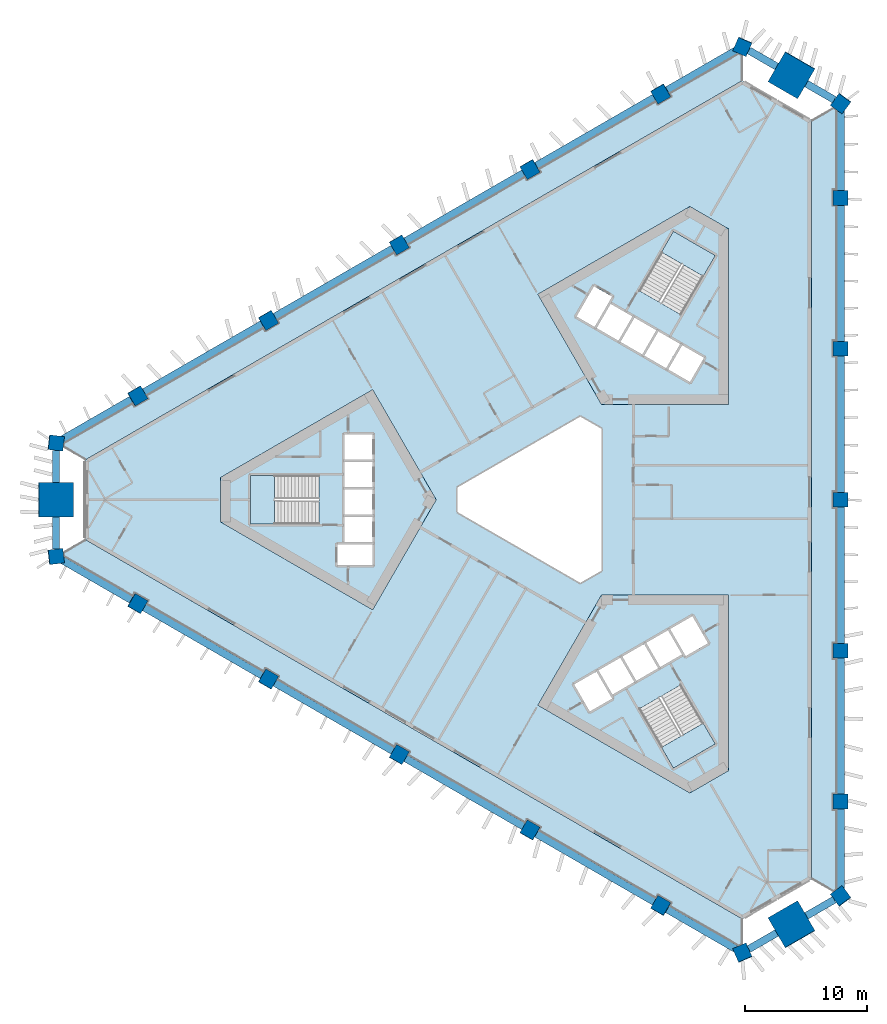
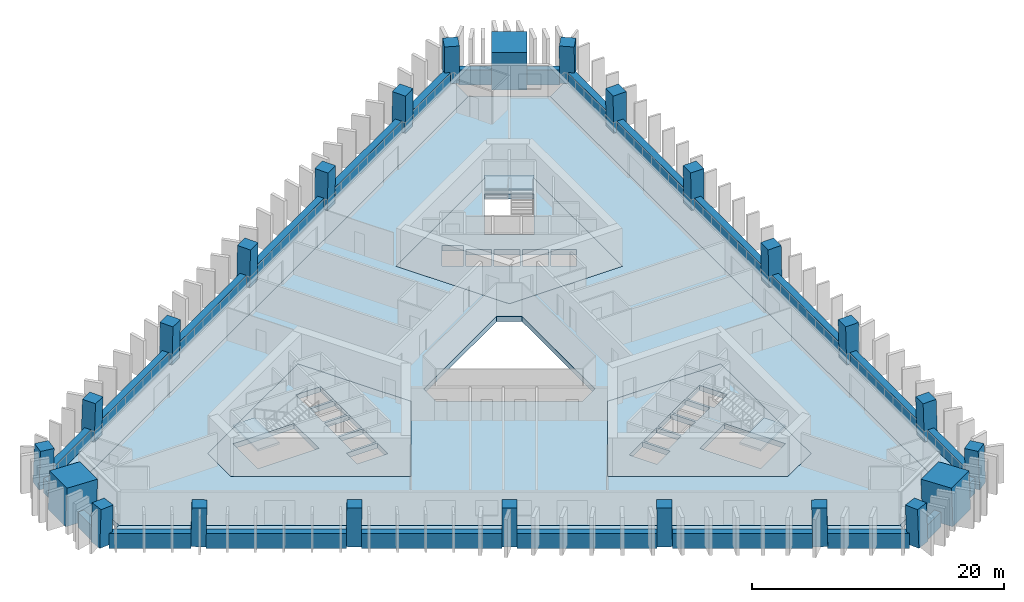
# One storey, part 1 of 10: 24 beams, 24 columns, 10 slabs, 3 elements without a shape of their own.
"""IFC4 building model written with IfcOpenShell, lengths in metres."""

from ifc_helpers import new_model, si_unit, direction, frame, origin, origin_2d, place, context, subcontext, project, spatial, polyline, rectangle, outline, extrude, material, layer, layer_set, material_profile, profile_set, type_object, element, aggregate, save


model = new_model("IFC4")

# Units and contexts
model_context = context("Model", 3, precision=1e-05, world=origin(), true_north=direction((0.0, 1.0)))
body_context = subcontext(model_context, "Body", "Model", "MODEL_VIEW")
ifc_project = project(units=[si_unit("LENGTHUNIT", "METRE"), si_unit("AREAUNIT", "SQUARE_METRE"), si_unit("VOLUMEUNIT", "CUBIC_METRE"), si_unit("PLANEANGLEUNIT", "RADIAN"), si_unit("MASSUNIT", "GRAM", prefix="KILO")], contexts=[model_context])

# Site, building, storey
site_placement = place(None, origin())
site = spatial("IfcSite", under=ifc_project, at=site_placement, CompositionType="ELEMENT")
building_placement = place(site_placement, origin())
building = spatial("IfcBuilding", under=site, at=building_placement, Name="Jabali Bay Hotel Tower and Convention Centre", CompositionType="ELEMENT")
storey_placement = place(building_placement, frame((0.0, 0.0, 30.0)))
storey = spatial("IfcBuildingStorey", under=building, at=storey_placement, Name="L05", CompositionType="ELEMENT", Elevation=30.0)

# Columns
ifc_material_1 = material(Name="Concrete C60", Category="concrete")
ifc_material_profile_1 = material_profile(ifc_material_1, rectangle(XDim=1.199951171875, YDim=1.199951171875, at=origin_2d()), Name="Frame column 1200")
ifc_profile_set_1 = profile_set([ifc_material_profile_1], Name="Concrete C60")
column_type_1 = type_object("IfcColumnType", Name="Frame column 1200", PredefinedType="COLUMN", material=ifc_profile_set_1)
column_1_placement = place(storey_placement, frame((84.3486328125, 113.16796875, 0.0), z_axis=(-0.008376454378, -0.028163354484, 0.999568237028), x_axis=(0.865850871468, 0.499846877556, 0.02133933866)))
element("IfcColumn", 1, at=column_1_placement, inside=storey, type_object=column_type_1, Name="FC1 F1.1 L05", PredefinedType="COLUMN", context=body_context, shape_type="SweptSolid", body=[
    extrude(rectangle(XDim=1.199951171875, YDim=1.199951171875, at=origin_2d()), origin(), (0.0, 0.0, 1.0), 3.70166015625),
])
column_2_placement = place(storey_placement, frame((73.661865234375, 106.998046875, 0.0), z_axis=(0.000857578916, -0.022824792675, 0.999739112668), x_axis=(0.866060219769, 0.499825848733, 0.01066848966)))
element("IfcColumn", 2, at=column_2_placement, inside=storey, type_object=column_type_1, Name="FC1 F1.2 L05", PredefinedType="COLUMN", context=body_context, shape_type="SweptSolid", body=[
    extrude(rectangle(XDim=1.199951171875, YDim=1.199951171875, at=origin_2d()), origin(), (0.0, 0.0, 1.0), 3.700927734375),
])
column_3_placement = place(storey_placement, frame((62.97509765625, 100.827880859375, 0.0), z_axis=(0.010093620709, -0.017482414954, 0.999796221231), x_axis=(-0.499897086036, 0.865849517735, 0.020187025824)))
element("IfcColumn", 3, at=column_3_placement, inside=storey, type_object=column_type_1, Name="FC1 F1.3 L05", PredefinedType="COLUMN", context=body_context, shape_type="SweptSolid", body=[
    extrude(rectangle(XDim=1.199951171875, YDim=1.199951171875, at=origin_2d()), origin(), (0.0, 0.0, 1.0), 3.70068359375),
])
column_4_placement = place(storey_placement, frame((52.2880859375, 94.657958984375, 0.0), z_axis=(0.019328516974, -0.012138044789, 0.999739504221), x_axis=(-0.500208848309, 0.865669585777, 0.020181088508)))
element("IfcColumn", 4, at=column_4_placement, inside=storey, type_object=column_type_1, Name="FC1 F1.4 L05", PredefinedType="COLUMN", context=body_context, shape_type="SweptSolid", body=[
    extrude(rectangle(XDim=1.199951171875, YDim=1.199951171875, at=origin_2d()), origin(), (0.0, 0.0, 1.0), 3.700927734375),
])
for number, where, z_axis, x_axis, name in (
    (5, (41.601318359375, 88.48779296875, 0.0), (0.02855911485, -0.006793507689, 0.999569019734), (-0.500405785832, 0.865555785013, 0.020180003373), "FC1 F1.5 L05"),
    (6, (41.601318359375, 71.51220703125, 0.0), (0.02855911485, 0.006793507689, 0.999569019734), (-0.865319840559, 0.500766443848, 0.021319996519), "FC1 F2.1 L05"),
):
    element("IfcColumn", number, at=place(storey_placement, frame(where, z_axis=z_axis, x_axis=x_axis)), inside=storey, type_object=column_type_1, Name=name, PredefinedType="COLUMN", context=body_context, shape_type="SweptSolid", body=[
        extrude(rectangle(XDim=1.199951171875, YDim=1.199951171875, at=origin_2d()), origin(), (0.0, 0.0, 1.0), 3.70166015625),
    ])
column_5_placement = place(storey_placement, frame((52.2880859375, 65.342041015625, 0.0), z_axis=(0.019328516974, 0.012138044789, 0.999739504221), x_axis=(-0.865689041461, 0.500468616527, 0.010660551878)))
element("IfcColumn", 7, at=column_5_placement, inside=storey, type_object=column_type_1, Name="FC1 F2.2 L05", PredefinedType="COLUMN", context=body_context, shape_type="SweptSolid", body=[
    extrude(rectangle(XDim=1.199951171875, YDim=1.199951171875, at=origin_2d()), origin(), (0.0, 0.0, 1.0), 3.700927734375),
])
column_6_placement = place(storey_placement, frame((62.97509765625, 59.172119140625, 0.0), z_axis=(0.010093620709, 0.017482414954, 0.999796221231), x_axis=(-0.866025993948, 0.499998977805, 1.48331e-07)))
element("IfcColumn", 8, at=column_6_placement, inside=storey, type_object=column_type_1, Name="FC1 F2.3 L05", PredefinedType="COLUMN", context=body_context, shape_type="SweptSolid", body=[
    extrude(rectangle(XDim=1.199951171875, YDim=1.199951171875, at=origin_2d()), origin(), (0.0, 0.0, 1.0), 3.70068359375),
])
column_7_placement = place(storey_placement, frame((73.661865234375, 53.001953125, 0.0), z_axis=(0.000857578916, 0.022824792675, 0.999739112668), x_axis=(-0.499938956565, -0.865825126557, 0.020196285069)))
element("IfcColumn", 9, at=column_7_placement, inside=storey, type_object=column_type_1, Name="FC1 F2.4 L05", PredefinedType="COLUMN", context=body_context, shape_type="SweptSolid", body=[
    extrude(rectangle(XDim=1.199951171875, YDim=1.199951171875, at=origin_2d()), origin(), (0.0, 0.0, 1.0), 3.700927734375),
])
for number, where, z_axis, x_axis, name in (
    (10, (84.3486328125, 46.83203125, 0.0), (-0.008376454378, 0.028163354484, 0.999568237028), (-0.500232049542, -0.86565577712, 0.020198320458), "FC1 F2.5 L05"),
    (11, (99.050048828125, 55.31982421875, 0.0), (-0.020182659751, 0.021303918626, 0.999569308901), (0.000228267203, -0.99977282903, 0.021312865295), "FC1 F0.1 L05"),
):
    element("IfcColumn", number, at=place(storey_placement, frame(where, z_axis=z_axis, x_axis=x_axis)), inside=storey, type_object=column_type_1, Name=name, PredefinedType="COLUMN", context=body_context, shape_type="SweptSolid", body=[
        extrude(rectangle(XDim=1.199951171875, YDim=1.199951171875, at=origin_2d()), origin(), (0.0, 0.0, 1.0), 3.70166015625),
    ])
column_8_placement = place(storey_placement, frame((99.050048828125, 67.659912109375, 0.0), z_axis=(-0.020186088539, 0.010686752756, 0.999739123544), x_axis=(-0.001023376713, -0.999942568771, 0.010668264128)))
element("IfcColumn", 12, at=column_8_placement, inside=storey, type_object=column_type_1, Name="FC1 F0.2 L05", PredefinedType="COLUMN", context=body_context, shape_type="SweptSolid", body=[
    extrude(rectangle(XDim=1.199951171875, YDim=1.199951171875, at=origin_2d()), origin(), (0.0, 0.0, 1.0), 3.700927734375),
])
column_9_placement = place(storey_placement, frame((99.050048828125, 80.0, 0.0), z_axis=(-0.020187241331, 0.0, 0.99979621688), x_axis=(0.0, -1.0, 0.0)))
element("IfcColumn", 13, at=column_9_placement, inside=storey, type_object=column_type_1, Name="FC1 F0.3 L05", PredefinedType="COLUMN", context=body_context, shape_type="SweptSolid", body=[
    extrude(rectangle(XDim=1.199951171875, YDim=1.199951171875, at=origin_2d()), origin(), (0.0, 0.0, 1.0), 3.70068359375),
])
column_10_placement = place(storey_placement, frame((99.050048828125, 92.340087890625, 0.0), z_axis=(-0.020186088539, -0.010686752756, 0.999739123544), x_axis=(0.999795716399, 0.000807759214, 0.020195865801)))
element("IfcColumn", 14, at=column_10_placement, inside=storey, type_object=column_type_1, Name="FC1 F0.4 L05", PredefinedType="COLUMN", context=body_context, shape_type="SweptSolid", body=[
    extrude(rectangle(XDim=1.199951171875, YDim=1.199951171875, at=origin_2d()), origin(), (0.0, 0.0, 1.0), 3.700927734375),
])
column_11_placement = place(storey_placement, frame((99.050048828125, 104.68017578125, 0.0), z_axis=(-0.020182659751, -0.021303918626, 0.999569308901), x_axis=(0.999796283319, -0.000658319199, 0.020173211851)))
element("IfcColumn", 15, at=column_11_placement, inside=storey, type_object=column_type_1, Name="FC1 F0.5 L05", PredefinedType="COLUMN", context=body_context, shape_type="SweptSolid", body=[
    extrude(rectangle(XDim=1.199951171875, YDim=1.199951171875, at=origin_2d()), origin(), (0.0, 0.0, 1.0), 3.70166015625),
])
for number, where, z_axis, x_axis, name in (
    (16, (99.050048828125, 47.615478515625, 0.0), (-0.020178741915, 0.029015184452, 0.999375273581), (-0.802930919304, -0.596071088657, 0.001093660027), "FC1 V0 L05"),
    (17, (99.050048828125, 112.384521484375, 0.0), (-0.020178741915, -0.029015184452, 0.999375273581), (0.595730440048, 0.802407238463, 0.035325153387), "FC1 V1 L05"),
    (18, (91.020751953125, 117.020263671875, 0.0), (-0.015035141917, -0.031982648376, 0.99937533225), (0.917709569102, -0.397250489158, 0.001093453944), "FC1 V2 L05"),
    (19, (34.92919921875, 84.6357421875, 0.0), (0.03521388716, -0.002967462401, 0.999375393092), (-0.992771454304, 0.114704886153, 0.035321786636), "FC1 V3 L05"),
    (20, (34.92919921875, 75.3642578125, 0.0), (0.03521388716, 0.002967462401, 0.999375393092), (-0.114738056762, 0.993395179805, 0.001093192954), "FC1 V4 L05"),
    (21, (91.020751953125, 42.979736328125, 0.0), (-0.015035141917, 0.031982648376, 0.99937533225), (0.396967368036, -0.917152745766, 0.035323499941), "FC1 V5 L05"),
):
    element("IfcColumn", number, at=place(storey_placement, frame(where, z_axis=z_axis, x_axis=x_axis)), inside=storey, type_object=column_type_1, Name=name, PredefinedType="COLUMN", context=body_context, shape_type="SweptSolid", body=[
        extrude(rectangle(XDim=1.199951171875, YDim=1.199951171875, at=origin_2d()), origin(), (0.0, 0.0, 1.0), 3.7021484375),
    ])
ifc_material_2 = material(Name="Concrete C70", Category="concrete")
ifc_material_profile_2 = material_profile(ifc_material_2, rectangle(XDim=2.800048828125, YDim=2.800048828125, at=origin_2d()), Name="Mega column 2800")
ifc_profile_set_2 = profile_set([ifc_material_profile_2], Name="Concrete C70")
column_type_2 = type_object("IfcColumnType", Name="Mega column 2800", PredefinedType="COLUMN", material=ifc_profile_set_2)
for number, where, z_axis, x_axis, name in (
    (22, (95.035400390625, 114.702392578125, 0.0), (-0.017607037296, -0.030466109479, 0.999380712447), (0.500064653071, 0.865272876704, 0.035187946645), "MC1 M1 L05"),
    (23, (34.92919921875, 80.0, 0.0), (0.035214042205, 0.0, 0.999379793288), (0.0, 1.0, 0.0), "MC1 M0 L05"),
    (24, (95.035400390625, 45.297607421875, 0.0), (-0.017607037296, 0.030466109479, 0.999380712447), (-0.865809063816, -0.500374524745, 1.32655e-07), "MC1 M2 L05"),
):
    element("IfcColumn", number, at=place(storey_placement, frame(where, z_axis=z_axis, x_axis=x_axis)), inside=storey, type_object=column_type_2, Name=name, PredefinedType="COLUMN", context=body_context, shape_type="SweptSolid", body=[
        extrude(rectangle(XDim=2.800048828125, YDim=2.800048828125, at=origin_2d()), origin(), (0.0, 0.0, 1.0), 3.7021484375),
    ])

# Beams
ifc_material_profile_3 = material_profile(ifc_material_1, rectangle(XDim=0.60009765625, YDim=1.449951171875, at=origin_2d()), Name="Spandrel 600x1450")
ifc_profile_set_3 = profile_set([ifc_material_profile_3], Name="Concrete C60")
beam_type = type_object("IfcBeamType", Name="Spandrel 600x1450", PredefinedType="SPANDREL", material=ifc_profile_set_3)
beam_1_placement = place(storey_placement, frame((93.81640625, 115.390869140625, 0.375), z_axis=(-0.865998849027, 0.500045991369, 0.0), x_axis=(-0.500045991369, -0.865998849027, 0.0)))
element("IfcBeam", 25, at=beam_1_placement, inside=storey, type_object=beam_type, Name="Spandrel M1-V2 L05", PredefinedType="SPANDREL", context=body_context, shape_type="SweptSolid", body=[
    extrude(rectangle(XDim=0.60009765625, YDim=1.449951171875, at=origin_2d()), origin(), (0.0, 0.0, 1.0), 2.634521484375),
])
beam_2_placement = place(storey_placement, frame((90.49560546875, 116.708251953125, 0.375), z_axis=(-0.866032383415, -0.49998791073, 0.0), x_axis=(0.49998791073, -0.866032383415, 0.0)))
element("IfcBeam", 26, at=beam_2_placement, inside=storey, type_object=beam_type, Name="Spandrel V2-F1.1 L05", PredefinedType="SPANDREL", context=body_context, shape_type="SweptSolid", body=[
    extrude(rectangle(XDim=0.60009765625, YDim=1.449951171875, at=origin_2d()), origin(), (0.0, 0.0, 1.0), 6.501708984375),
])
for number, where, z_axis, x_axis, name in (
    (27, (83.825927734375, 112.857421875, 0.375), (-0.866026046303, -0.499998887123, 0.0), (0.499998887123, -0.866026046303, 0.0), "Spandrel F1.1-F1.2 L05"),
    (28, (73.142578125, 106.689453125, 0.375), (-0.866026046303, -0.499998887123, 0.0), (0.499998887123, -0.866026046303, 0.0), "Spandrel F1.2-F1.3 L05"),
    (29, (62.459228515625, 100.521240234375, 0.375), (-0.866035539194, -0.499982444545, 0.0), (0.499982444545, -0.866035539194, 0.0), "Spandrel F1.3-F1.4 L05"),
):
    element("IfcBeam", number, at=place(storey_placement, frame(where, z_axis=z_axis, x_axis=x_axis)), inside=storey, type_object=beam_type, Name=name, PredefinedType="SPANDREL", context=body_context, shape_type="SweptSolid", body=[
        extrude(rectangle(XDim=0.60009765625, YDim=1.449951171875, at=origin_2d()), origin(), (0.0, 0.0, 1.0), 11.13623046875),
    ])
beam_3_placement = place(storey_placement, frame((51.77587890625, 94.353271484375, 0.375), z_axis=(-0.866030058601, -0.499991937534, 0.0), x_axis=(0.499991937534, -0.866030058601, 0.0)))
element("IfcBeam", 30, at=beam_3_placement, inside=storey, type_object=beam_type, Name="Spandrel F1.4-F1.5 L05", PredefinedType="SPANDREL", context=body_context, shape_type="SweptSolid", body=[
    extrude(rectangle(XDim=0.60009765625, YDim=1.449951171875, at=origin_2d()), origin(), (0.0, 0.0, 1.0), 11.135986328125),
])
beam_4_placement = place(storey_placement, frame((41.092529296875, 88.185302734375, 0.375), z_axis=(-0.866032383415, -0.49998791073, 0.0), x_axis=(0.49998791073, -0.866032383415, 0.0)))
element("IfcBeam", 31, at=beam_4_placement, inside=storey, type_object=beam_type, Name="Spandrel F1.5-V3 L05", PredefinedType="SPANDREL", context=body_context, shape_type="SweptSolid", body=[
    extrude(rectangle(XDim=0.60009765625, YDim=1.449951171875, at=origin_2d()), origin(), (0.0, 0.0, 1.0), 6.501708984375),
])
for number, where, z_axis, x_axis, name in (
    (32, (34.9423828125, 84.034423828125, 0.375), (0.0, -1.0, 0.0), (1.0, 0.0, 0.0), "Spandrel V3-M0 L05"),
    (33, (34.9423828125, 78.60009765625, 0.375), (0.0, -1.0, 0.0), (1.0, 0.0, 0.0), "Spandrel M0-V4 L05"),
):
    element("IfcBeam", number, at=place(storey_placement, frame(where, z_axis=z_axis, x_axis=x_axis)), inside=storey, type_object=beam_type, Name=name, PredefinedType="SPANDREL", context=body_context, shape_type="SweptSolid", body=[
        extrude(rectangle(XDim=0.60009765625, YDim=1.449951171875, at=origin_2d()), origin(), (0.0, 0.0, 1.0), 2.634521484375),
    ])
beam_5_placement = place(storey_placement, frame((35.4619140625, 75.0654296875, 0.375), z_axis=(0.866032383415, -0.49998791073, 0.0), x_axis=(0.49998791073, 0.866032383415, 0.0)))
element("IfcBeam", 34, at=beam_5_placement, inside=storey, type_object=beam_type, Name="Spandrel V4-F2.1 L05", PredefinedType="SPANDREL", context=body_context, shape_type="SweptSolid", body=[
    extrude(rectangle(XDim=0.60009765625, YDim=1.449951171875, at=origin_2d()), origin(), (0.0, 0.0, 1.0), 6.501708984375),
])
beam_6_placement = place(storey_placement, frame((42.1318359375, 71.214599609375, 0.375), z_axis=(0.866030058601, -0.499991937534, 0.0), x_axis=(0.499991937534, 0.866030058601, 0.0)))
element("IfcBeam", 35, at=beam_6_placement, inside=storey, type_object=beam_type, Name="Spandrel F2.1-F2.2 L05", PredefinedType="SPANDREL", context=body_context, shape_type="SweptSolid", body=[
    extrude(rectangle(XDim=0.60009765625, YDim=1.449951171875, at=origin_2d()), origin(), (0.0, 0.0, 1.0), 11.135986328125),
])
for number, where, z_axis, x_axis, name in (
    (36, (52.81494140625, 65.046630859375, 0.375), (0.866035539194, -0.499982444545, 0.0), (0.499982444545, 0.866035539194, 0.0), "Spandrel F2.2-F2.3 L05"),
    (37, (63.498291015625, 58.878662109375, 0.375), (0.866026046303, -0.499998887123, 0.0), (0.499998887123, 0.866026046303, 0.0), "Spandrel F2.3-F2.4 L05"),
    (38, (74.181640625, 52.710693359375, 0.375), (0.866026046303, -0.499998887123, 0.0), (0.499998887123, 0.866026046303, 0.0), "Spandrel F2.4-F2.5 L05"),
):
    element("IfcBeam", number, at=place(storey_placement, frame(where, z_axis=z_axis, x_axis=x_axis)), inside=storey, type_object=beam_type, Name=name, PredefinedType="SPANDREL", context=body_context, shape_type="SweptSolid", body=[
        extrude(rectangle(XDim=0.60009765625, YDim=1.449951171875, at=origin_2d()), origin(), (0.0, 0.0, 1.0), 11.13623046875),
    ])
beam_7_placement = place(storey_placement, frame((84.864990234375, 46.54248046875, 0.375), z_axis=(0.866032383415, -0.49998791073, 0.0), x_axis=(0.49998791073, 0.866032383415, 0.0)))
element("IfcBeam", 39, at=beam_7_placement, inside=storey, type_object=beam_type, Name="Spandrel F2.5-V5 L05", PredefinedType="SPANDREL", context=body_context, shape_type="SweptSolid", body=[
    extrude(rectangle(XDim=0.60009765625, YDim=1.449951171875, at=origin_2d()), origin(), (0.0, 0.0, 1.0), 6.501708984375),
])
for number, where, z_axis, x_axis, name in (
    (40, (91.534912109375, 43.291748046875, 0.375), (0.865998849027, 0.500045991369, 0.0), (-0.500045991369, 0.865998849027, 0.0), "Spandrel V5-M2 L05"),
    (41, (96.2412109375, 46.009033203125, 0.375), (0.865998849027, 0.500045991369, 0.0), (-0.500045991369, 0.865998849027, 0.0), "Spandrel M2-V0 L05"),
):
    element("IfcBeam", number, at=place(storey_placement, frame(where, z_axis=z_axis, x_axis=x_axis)), inside=storey, type_object=beam_type, Name=name, PredefinedType="SPANDREL", context=body_context, shape_type="SweptSolid", body=[
        extrude(rectangle(XDim=0.60009765625, YDim=1.449951171875, at=origin_2d()), origin(), (0.0, 0.0, 1.0), 2.634521484375),
    ])
beam_8_placement = place(storey_placement, frame((99.04248046875, 48.226318359375, 0.375), z_axis=(0.0, 1.0, 0.0), x_axis=(-1.0, 0.0, 0.0)))
element("IfcBeam", 42, at=beam_8_placement, inside=storey, type_object=beam_type, Name="Spandrel V0-F0.1 L05", PredefinedType="SPANDREL", context=body_context, shape_type="SweptSolid", body=[
    extrude(rectangle(XDim=0.60009765625, YDim=1.449951171875, at=origin_2d()), origin(), (0.0, 0.0, 1.0), 6.50146484375),
])
for number, where, z_axis, x_axis, name in (
    (43, (99.04248046875, 55.927978515625, 0.375), (0.0, 1.0, 0.0), (-1.0, 0.0, 0.0), "Spandrel F0.1-F0.2 L05"),
    (44, (99.04248046875, 68.263916015625, 0.375), (0.0, 1.0, 0.0), (-1.0, 0.0, 0.0), "Spandrel F0.2-F0.3 L05"),
    (45, (99.04248046875, 80.60009765625, 0.375), (0.0, 1.0, 0.0), (-1.0, 0.0, 0.0), "Spandrel F0.3-F0.4 L05"),
    (46, (99.04248046875, 92.93603515625, 0.375), (0.0, 1.0, 0.0), (-1.0, 0.0, 0.0), "Spandrel F0.4-F0.5 L05"),
):
    element("IfcBeam", number, at=place(storey_placement, frame(where, z_axis=z_axis, x_axis=x_axis)), inside=storey, type_object=beam_type, Name=name, PredefinedType="SPANDREL", context=body_context, shape_type="SweptSolid", body=[
        extrude(rectangle(XDim=0.60009765625, YDim=1.449951171875, at=origin_2d()), origin(), (0.0, 0.0, 1.0), 11.135986328125),
    ])
beam_9_placement = place(storey_placement, frame((99.04248046875, 105.272216796875, 0.375), z_axis=(0.0, 1.0, 0.0), x_axis=(-1.0, 0.0, 0.0)))
element("IfcBeam", 47, at=beam_9_placement, inside=storey, type_object=beam_type, Name="Spandrel F0.5-V1 L05", PredefinedType="SPANDREL", context=body_context, shape_type="SweptSolid", body=[
    extrude(rectangle(XDim=0.60009765625, YDim=1.449951171875, at=origin_2d()), origin(), (0.0, 0.0, 1.0), 6.50146484375),
])
beam_10_placement = place(storey_placement, frame((98.522705078125, 112.673583984375, 0.375), z_axis=(-0.865998849027, 0.500045991369, 0.0), x_axis=(-0.500045991369, -0.865998849027, 0.0)))
element("IfcBeam", 48, at=beam_10_placement, inside=storey, type_object=beam_type, Name="Spandrel V1-M1 L05", PredefinedType="SPANDREL", context=body_context, shape_type="SweptSolid", body=[
    extrude(rectangle(XDim=0.60009765625, YDim=1.449951171875, at=origin_2d()), origin(), (0.0, 0.0, 1.0), 2.634521484375),
])

# Slabs
ifc_material_3 = material(Name="Concrete C40", Category="concrete")
ifc_layer_1 = layer(ifc_material_3, 0.5)
ifc_layer_set_1 = layer_set([ifc_layer_1], Name="Concrete C40")
slab_type_1 = type_object("IfcSlabType", Name="Core floor slab 500", PredefinedType="FLOOR", material=ifc_layer_set_1)
slab_1_placement = place(storey_placement, frame((0.0, 0.0, -0.5)))
element("IfcSlab", 49, at=slab_1_placement, inside=storey, type_object=slab_type_1, Name="Core floor slab 1 L05", PredefinedType="FLOOR", context=body_context, shape_type="SweptSolid", body=[
    extrude(outline(polyline([(66.0, 80.0), (60.81005859375, 88.9892578125), (48.39697265625, 81.82275390625), (48.39697265625, 78.17724609375), (60.81005859375, 71.0107421875), (66.0, 80.0)]), holes=[polyline([(60.800048828125, 74.64990234375), (60.800048828125, 76.35009765625), (57.949951171875, 76.35009765625), (57.949951171875, 74.64990234375), (60.800048828125, 74.64990234375)]), polyline([(58.52001953125, 76.550048828125), (60.800048828125, 76.550048828125), (60.800048828125, 78.60009765625), (58.52001953125, 78.60009765625), (58.52001953125, 76.550048828125)]), polyline([(58.52001953125, 78.800048828125), (60.800048828125, 78.800048828125), (60.800048828125, 80.85009765625), (58.52001953125, 80.85009765625), (58.52001953125, 78.800048828125)]), polyline([(56.409912109375, 81.97509765625), (50.820068359375, 81.97509765625), (50.820068359375, 78.02490234375), (56.409912109375, 78.02490234375), (56.409912109375, 81.97509765625)]), polyline([(58.52001953125, 81.050048828125), (60.800048828125, 81.050048828125), (60.800048828125, 83.10009765625), (58.52001953125, 83.10009765625), (58.52001953125, 81.050048828125)]), polyline([(58.52001953125, 83.300048828125), (60.800048828125, 83.300048828125), (60.800048828125, 85.35009765625), (58.52001953125, 85.35009765625), (58.52001953125, 83.300048828125)])]), origin(), (0.0, 0.0, 1.0), 0.5),
])
slab_2_placement = place(storey_placement, frame((0.0, 0.0, -0.5)))
element("IfcSlab", 50, at=slab_2_placement, inside=storey, type_object=slab_type_1, Name="Core floor slab 2 L05", PredefinedType="FLOOR", context=body_context, shape_type="SweptSolid", body=[
    extrude(outline(polyline([(79.5, 87.794189453125), (89.8798828125, 87.794189453125), (89.8798828125, 102.127685546875), (86.72314453125, 103.9501953125), (74.31005859375, 96.78369140625), (79.5, 87.794189453125)]), holes=[polyline([(84.957763671875, 90.6474609375), (86.733154296875, 89.62255859375), (87.873291015625, 91.59716796875), (86.097900390625, 92.6220703125), (84.957763671875, 90.6474609375)]), polyline([(84.1494140625, 93.7470703125), (83.00927734375, 91.7724609375), (84.78466796875, 90.74755859375), (85.924560546875, 92.72216796875), (84.1494140625, 93.7470703125)]), polyline([(82.20068359375, 94.8720703125), (81.060791015625, 92.8974609375), (82.836181640625, 91.87255859375), (83.97607421875, 93.84716796875), (82.20068359375, 94.8720703125)]), polyline([(79.1123046875, 94.0224609375), (80.887451171875, 92.99755859375), (82.027587890625, 94.97216796875), (80.252197265625, 95.9970703125), (79.1123046875, 94.0224609375)]), polyline([(78.891845703125, 97.440673828125), (77.466796875, 94.97265625), (78.93896484375, 94.12255859375), (80.364013671875, 96.5908203125), (78.891845703125, 97.440673828125)]), polyline([(82.584716796875, 97.0869140625), (86.00537109375, 95.11181640625), (88.80029296875, 99.952880859375), (85.379638671875, 101.927978515625), (82.584716796875, 97.0869140625)])]), origin(), (0.0, 0.0, 1.0), 0.5),
])
slab_3_placement = place(storey_placement, frame((0.0, 0.0, -0.5)))
element("IfcSlab", 51, at=slab_3_placement, inside=storey, type_object=slab_type_1, Name="Core floor slab 3 L05", PredefinedType="FLOOR", context=body_context, shape_type="SweptSolid", body=[
    extrude(outline(polyline([(79.5, 72.205810546875), (74.31005859375, 63.21630859375), (86.72314453125, 56.0498046875), (89.8798828125, 57.872314453125), (89.8798828125, 72.205810546875), (79.5, 72.205810546875)]), holes=[polyline([(82.584716796875, 62.9130859375), (85.379638671875, 58.072021484375), (88.80029296875, 60.047119140625), (86.00537109375, 64.88818359375), (82.584716796875, 62.9130859375)]), polyline([(80.365478515625, 63.756591796875), (79.090576171875, 65.96484375), (77.27197265625, 64.9150390625), (78.546875, 62.70654296875), (80.365478515625, 63.756591796875)]), polyline([(82.17919921875, 65.115478515625), (81.0390625, 67.08984375), (79.263671875, 66.06494140625), (80.40380859375, 64.09033203125), (82.17919921875, 65.115478515625)]), polyline([(82.98779296875, 68.21484375), (81.21240234375, 67.18994140625), (82.352294921875, 65.21533203125), (84.127685546875, 66.240478515625), (82.98779296875, 68.21484375)]), polyline([(86.076171875, 67.365478515625), (84.936279296875, 69.33984375), (83.160888671875, 68.31494140625), (84.30078125, 66.34033203125), (86.076171875, 67.365478515625)]), polyline([(88.203125, 68.281494140625), (86.927978515625, 70.489990234375), (85.109375, 69.43994140625), (86.384521484375, 67.231689453125), (88.203125, 68.281494140625)])]), origin(), (0.0, 0.0, 1.0), 0.5),
])
ifc_layer_2 = layer(ifc_material_3, 0.199951171875)
ifc_layer_set_2 = layer_set([ifc_layer_2], Name="Concrete C40")
slab_type_2 = type_object("IfcSlabType", Name="Loggia slab 200", PredefinedType="FLOOR", material=ifc_layer_set_2)
slab_4_placement = place(storey_placement, frame((0.0, 0.0, -0.199951171875)))
element("IfcSlab", 52, at=slab_4_placement, inside=storey, type_object=slab_type_2, Name="Loggia slab east face L05", PredefinedType="FLOOR", context=body_context, shape_type="SweptSolid", body=[
    extrude(outline(polyline([(96.64990234375, 110.998779296875), (98.48388671875, 112.0576171875), (98.75, 111.85986328125), (98.75, 105.280029296875), (98.449951171875, 105.280029296875), (98.449951171875, 104.080078125), (98.75, 104.080078125), (98.75, 92.93994140625), (98.449951171875, 92.93994140625), (98.449951171875, 91.739990234375), (98.75, 91.739990234375), (98.75, 80.60009765625), (98.449951171875, 80.60009765625), (98.449951171875, 79.39990234375), (98.75, 79.39990234375), (98.75, 68.260009765625), (98.449951171875, 68.260009765625), (98.449951171875, 67.06005859375), (98.75, 67.06005859375), (98.75, 55.919921875), (98.449951171875, 55.919921875), (98.449951171875, 54.719970703125), (98.75, 54.719970703125), (98.75, 48.14013671875), (98.48388671875, 47.9423828125), (96.64990234375, 49.001220703125), (96.64990234375, 110.998779296875)])), origin(), (0.0, 0.0, 1.0), 0.199951171875),
])
slab_5_placement = place(storey_placement, frame((0.0, 0.0, -0.199951171875)))
element("IfcSlab", 53, at=slab_5_placement, inside=storey, type_object=slab_type_2, Name="Loggia slab north-west face L05", PredefinedType="FLOOR", context=body_context, shape_type="SweptSolid", body=[
    extrude(outline(polyline([(37.3291015625, 83.25), (35.495361328125, 84.308837890625), (35.533447265625, 84.63818359375), (41.231689453125, 87.927978515625), (41.3818359375, 87.668212890625), (42.4208984375, 88.268310546875), (42.27099609375, 88.528076171875), (51.91845703125, 94.09814453125), (52.068603515625, 93.83837890625), (53.10791015625, 94.438232421875), (52.957763671875, 94.697998046875), (62.60546875, 100.26806640625), (62.75537109375, 100.00830078125), (63.794677734375, 100.6083984375), (63.64453125, 100.8681640625), (73.292236328125, 106.438232421875), (73.442138671875, 106.17822265625), (74.4814453125, 106.7783203125), (74.33154296875, 107.0380859375), (83.97900390625, 112.608154296875), (84.12890625, 112.348388671875), (85.168212890625, 112.9482421875), (85.018310546875, 113.208251953125), (90.716552734375, 116.498046875), (91.020751953125, 116.366455078125), (91.020751953125, 114.248779296875), (37.3291015625, 83.25)])), origin(), (0.0, 0.0, 1.0), 0.199951171875),
])
slab_6_placement = place(storey_placement, frame((0.0, 0.0, -0.199951171875)))
element("IfcSlab", 54, at=slab_6_placement, inside=storey, type_object=slab_type_2, Name="Loggia slab south-west face L05", PredefinedType="FLOOR", context=body_context, shape_type="SweptSolid", body=[
    extrude(outline(polyline([(91.020751953125, 45.751220703125), (91.020751953125, 43.633544921875), (90.716552734375, 43.501953125), (85.018310546875, 46.791748046875), (85.168212890625, 47.0517578125), (84.12890625, 47.651611328125), (83.97900390625, 47.391845703125), (74.33154296875, 52.9619140625), (74.4814453125, 53.2216796875), (73.442138671875, 53.82177734375), (73.292236328125, 53.561767578125), (63.64453125, 59.1318359375), (63.794677734375, 59.3916015625), (62.75537109375, 59.99169921875), (62.60546875, 59.73193359375), (52.957763671875, 65.302001953125), (53.10791015625, 65.561767578125), (52.068603515625, 66.16162109375), (51.91845703125, 65.90185546875), (42.27099609375, 71.471923828125), (42.4208984375, 71.731689453125), (41.3818359375, 72.331787109375), (41.231689453125, 72.072021484375), (35.533447265625, 75.36181640625), (35.495361328125, 75.691162109375), (37.3291015625, 76.75), (91.020751953125, 45.751220703125)])), origin(), (0.0, 0.0, 1.0), 0.199951171875),
])
ifc_layer_3 = layer(ifc_material_3, 0.5)
ifc_layer_set_3 = layer_set([ifc_layer_3], Name="Concrete C40")
slab_type_3 = type_object("IfcSlabType", Name="Post-tensioned flat slab 500", PredefinedType="FLOOR", material=ifc_layer_set_3)
slab_7_placement = place(storey_placement, frame((0.0, 0.0, -0.5)))
element("IfcSlab", 55, at=slab_7_placement, inside=storey, type_object=slab_type_3, Name="Floor slab L05", PredefinedType="FLOOR", context=body_context, shape_type="SweptSolid", body=[
    extrude(outline(polyline([(91.020751953125, 114.248779296875), (96.64990234375, 110.998779296875), (96.64990234375, 49.001220703125), (91.020751953125, 45.751220703125), (37.3291015625, 76.75), (37.3291015625, 83.25), (91.020751953125, 114.248779296875)]), holes=[polyline([(67.73193359375, 79.0), (77.76806640625, 73.205810546875), (79.5, 74.205810546875), (79.5, 85.794189453125), (77.76806640625, 86.794189453125), (67.73193359375, 81.0), (67.73193359375, 79.0)]), polyline([(48.39697265625, 78.17724609375), (60.81005859375, 71.0107421875), (66.0, 80.0), (60.81005859375, 88.9892578125), (48.39697265625, 81.82275390625), (48.39697265625, 78.17724609375)]), polyline([(89.8798828125, 102.127685546875), (86.72314453125, 103.9501953125), (74.31005859375, 96.78369140625), (79.5, 87.794189453125), (89.8798828125, 87.794189453125), (89.8798828125, 102.127685546875)]), polyline([(74.31005859375, 63.21630859375), (86.72314453125, 56.0498046875), (89.8798828125, 57.872314453125), (89.8798828125, 72.205810546875), (79.5, 72.205810546875), (74.31005859375, 63.21630859375)])]), origin(), (0.0, 0.0, 1.0), 0.5),
])

# Stair, slab
stair_type = type_object("IfcStairType", Name="Exit stair 1900", PredefinedType="HALF_TURN_STAIR", material=ifc_material_3)
stair_1_placement = place(storey_placement, origin())
stair_1 = element("IfcStair", 56, at=stair_1_placement, inside=storey, type_object=stair_type, Name="L05 Exit Stair 1", PredefinedType="HALF_TURN_STAIR")
ifc_layer_4 = layer(ifc_material_3, 0.199951171875)
ifc_layer_set_4 = layer_set([ifc_layer_4], Name="Concrete C40")
slab_type_4 = type_object("IfcSlabType", Name="Stair landing 200", PredefinedType="LANDING", material=ifc_layer_set_4)
slab_8_placement = place(storey_placement, frame((0.0, 0.0, 1.64990234375)))
slab_8 = element("IfcSlab", 57, at=slab_8_placement, type_object=slab_type_4, Name="ST1 landing 1", PredefinedType="LANDING", context=body_context, shape_type="SweptSolid", body=[
    extrude(outline(polyline([(52.782958984375, 81.97509765625), (50.820068359375, 81.97509765625), (50.820068359375, 78.02490234375), (52.782958984375, 78.02490234375), (52.782958984375, 81.97509765625)])), origin(), (0.0, 0.0, 1.0), 0.2001953125),
])
aggregate(stair_1, [slab_8])

stair_2_placement = place(storey_placement, origin())
stair_2 = element("IfcStair", 58, at=stair_2_placement, inside=storey, type_object=stair_type, Name="L05 Exit Stair 2", PredefinedType="HALF_TURN_STAIR")
slab_9_placement = place(storey_placement, frame((0.0, 0.0, 1.64990234375)))
slab_9 = element("IfcSlab", 59, at=slab_9_placement, type_object=slab_type_4, Name="ST2 landing 1", PredefinedType="LANDING", context=body_context, shape_type="SweptSolid", body=[
    extrude(outline(polyline([(87.81884765625, 98.2529296875), (88.80029296875, 99.952880859375), (85.379638671875, 101.927978515625), (84.398193359375, 100.22802734375), (87.81884765625, 98.2529296875)])), origin(), (0.0, 0.0, 1.0), 0.2001953125),
])
aggregate(stair_2, [slab_9])

stair_3_placement = place(storey_placement, origin())
stair_3 = element("IfcStair", 60, at=stair_3_placement, inside=storey, type_object=stair_type, Name="L05 Exit Stair 3", PredefinedType="HALF_TURN_STAIR")
slab_10_placement = place(storey_placement, frame((0.0, 0.0, 1.64990234375)))
slab_10 = element("IfcSlab", 61, at=slab_10_placement, type_object=slab_type_4, Name="ST3 landing 1", PredefinedType="LANDING", context=body_context, shape_type="SweptSolid", body=[
    extrude(outline(polyline([(84.398193359375, 59.77197265625), (85.379638671875, 58.072021484375), (88.80029296875, 60.047119140625), (87.81884765625, 61.7470703125), (84.398193359375, 59.77197265625)])), origin(), (0.0, 0.0, 1.0), 0.2001953125),
])
aggregate(stair_3, [slab_10])

save(model, "model.ifc")
